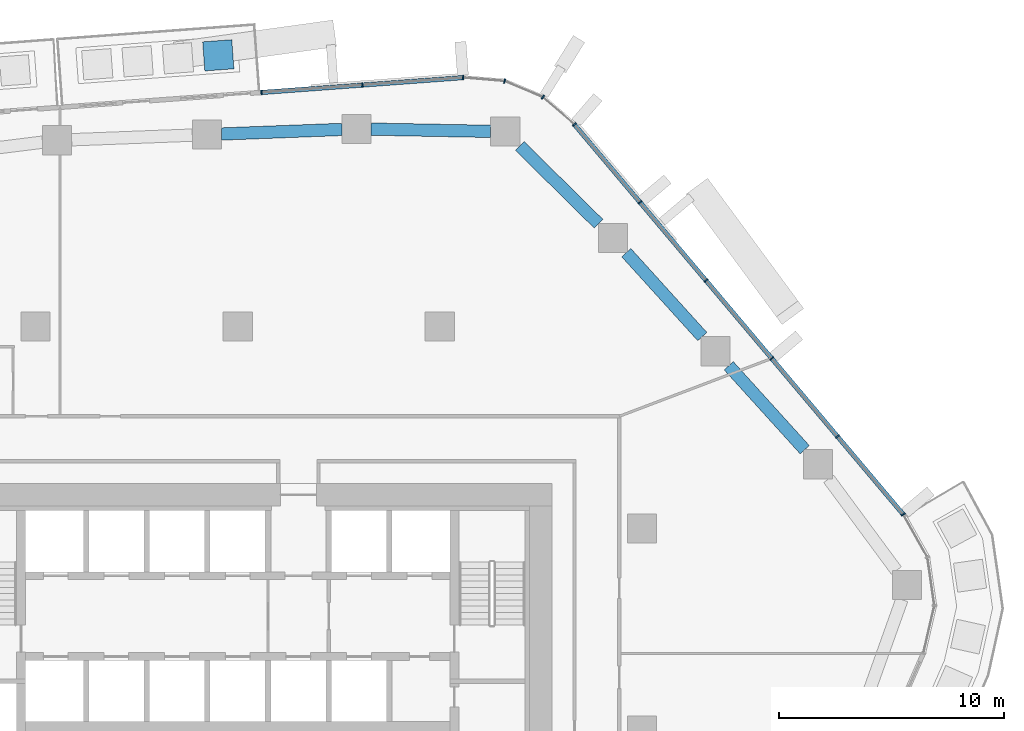
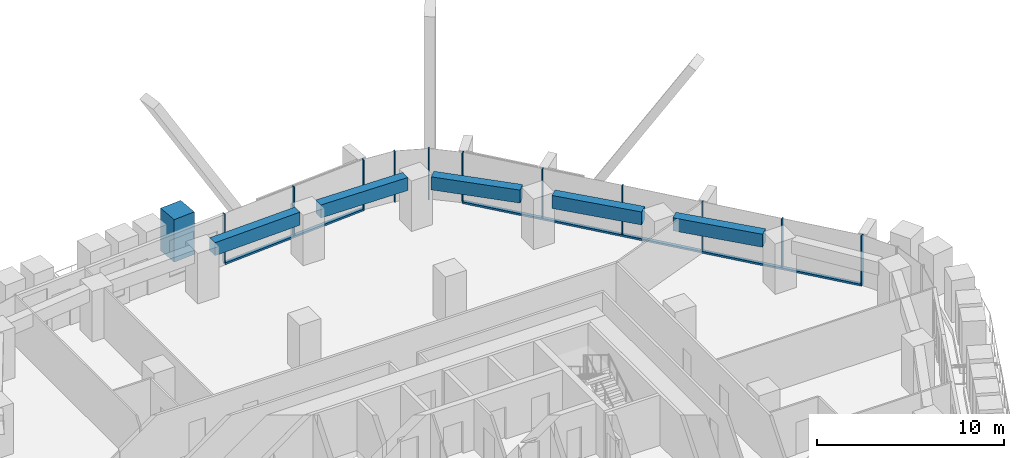
# One storey, part 8 of 24: 14 members, 5 beams, 4 elements without a shape of their own.
"""IFC4 building model written with IfcOpenShell, lengths in metres."""

from ifc_helpers import new_model, si_unit, direction, frame, origin, origin_2d, place, context, subcontext, project, spatial, rectangle, extrude, material, layer, layer_set, material_profile, profile_set, type_object, element, aggregate, save


model = new_model("IFC4")

# Units and contexts
model_context = context("Model", 3, precision=1e-05, world=origin(), true_north=direction((0.0, 1.0)))
body_context = subcontext(model_context, "Body", "Model", "MODEL_VIEW")
ifc_project = project(units=[si_unit("LENGTHUNIT", "METRE"), si_unit("AREAUNIT", "SQUARE_METRE"), si_unit("VOLUMEUNIT", "CUBIC_METRE"), si_unit("PLANEANGLEUNIT", "RADIAN"), si_unit("MASSUNIT", "GRAM", prefix="KILO")], contexts=[model_context])

# Site, building, storey
site_placement = place(None, origin())
site = spatial("IfcSite", under=ifc_project, at=site_placement, CompositionType="ELEMENT")
building_placement = place(site_placement, origin())
building = spatial("IfcBuilding", under=site, at=building_placement, Name="Dongbaek Canopy Tower", CompositionType="ELEMENT")
storey_placement = place(building_placement, frame((0.0, 0.0, 128.5)))
storey = spatial("IfcBuildingStorey", under=building, at=storey_placement, Name="L28", CompositionType="ELEMENT", Elevation=128.5)

# Curtain wall, member
ifc_material_1 = material(Name="Aluminium 6063-T6 pale anodised", Category="aluminium")
ifc_layer = layer(ifc_material_1, 0.199951171875)
ifc_layer_set = layer_set([ifc_layer], Name="CW-1 unitised tower curtain wall")
curtain_wall_type = type_object("IfcCurtainWallType", Name="CW-1 unitised tower curtain wall", PredefinedType="NOTDEFINED", material=ifc_layer_set)
curtain_wall_1_placement = place(storey_placement, origin())
curtain_wall_1 = element("IfcCurtainWall", 1, at=curtain_wall_1_placement, inside=storey, type_object=curtain_wall_type, Name="CW-1 curtain wall K0.1", PredefinedType="NOTDEFINED")
ifc_material_2 = material(Name="Aluminium 6063-T6 pale anodised", Category="aluminium")
ifc_material_profile_1 = material_profile(ifc_material_2, rectangle(XDim=0.199951171875, YDim=0.06005859375, at=origin_2d()), Name="CW-1 mullion 60 x 200")
ifc_profile_set_1 = profile_set([ifc_material_profile_1], Name="Aluminium 6063-T6 pale anodised")
member_type_1 = type_object("IfcMemberType", Name="CW-1 mullion 60 x 200", PredefinedType="MULLION", material=ifc_profile_set_1)
member_1_placement = place(storey_placement, frame((29.639404296875, 9.630615234375, 0.0), z_axis=(0.0, 0.0, 1.0), x_axis=(0.870355673405, 0.492423599933, 0.0)))
member_1 = element("IfcMember", 2, at=member_1_placement, type_object=member_type_1, Name="CW-1 mullion K0.1.4", PredefinedType="MULLION", context=body_context, shape_type="SweptSolid", body=[
    extrude(rectangle(XDim=0.199951171875, YDim=0.06005859375, at=origin_2d()), origin(), (0.0, 0.0, 1.0), 3.300048828125),
])
aggregate(curtain_wall_1, [member_1])

# Curtain wall, members
curtain_wall_2_placement = place(storey_placement, origin())
curtain_wall_2 = element("IfcCurtainWall", 3, at=curtain_wall_2_placement, inside=storey, type_object=curtain_wall_type, Name="CW-1 curtain wall F0.1", PredefinedType="NOTDEFINED")
member_2_placement = place(storey_placement, frame((26.71435546875, 13.098876953125, 0.1201171875), z_axis=(0.0, 0.0, 1.0), x_axis=(0.764439348936, 0.644695650519, 0.0)))
member_2 = element("IfcMember", 4, at=member_2_placement, type_object=member_type_1, Name="CW-1 mullion F0.1.2", PredefinedType="MULLION", context=body_context, shape_type="SweptSolid", body=[
    extrude(rectangle(XDim=0.199951171875, YDim=0.06005859375, at=origin_2d()), origin(), (0.0, 0.0, 1.0), 3.179931640625),
])
member_3_placement = place(storey_placement, frame((23.783203125, 16.574462890625, 0.1201171875), z_axis=(0.0, 0.0, 1.0), x_axis=(0.764439348936, 0.644695650519, 0.0)))
member_3 = element("IfcMember", 5, at=member_3_placement, type_object=member_type_1, Name="CW-1 mullion F0.1.3", PredefinedType="MULLION", context=body_context, shape_type="SweptSolid", body=[
    extrude(rectangle(XDim=0.199951171875, YDim=0.06005859375, at=origin_2d()), origin(), (0.0, 0.0, 1.0), 3.179931640625),
])
member_4_placement = place(storey_placement, frame((20.85205078125, 20.0498046875, 0.1201171875), z_axis=(0.0, 0.0, 1.0), x_axis=(0.764439348936, 0.644695650519, 0.0)))
member_4 = element("IfcMember", 6, at=member_4_placement, type_object=member_type_1, Name="CW-1 mullion F0.1.4", PredefinedType="MULLION", context=body_context, shape_type="SweptSolid", body=[
    extrude(rectangle(XDim=0.199951171875, YDim=0.06005859375, at=origin_2d()), origin(), (0.0, 0.0, 1.0), 3.179931640625),
])
member_5_placement = place(storey_placement, frame((17.921142578125, 23.525390625, 0.1201171875), z_axis=(0.0, 0.0, 1.0), x_axis=(0.764439348936, 0.644695650519, 0.0)))
member_5 = element("IfcMember", 7, at=member_5_placement, type_object=member_type_1, Name="CW-1 mullion F0.1.5", PredefinedType="MULLION", context=body_context, shape_type="SweptSolid", body=[
    extrude(rectangle(XDim=0.199951171875, YDim=0.06005859375, at=origin_2d()), origin(), (0.0, 0.0, 1.0), 3.179931640625),
])
member_6_placement = place(storey_placement, frame((14.9951171875, 26.994873046875, 0.1201171875), z_axis=(0.0, 0.0, 1.0), x_axis=(0.764439348936, 0.644695650519, 0.0)))
member_6 = element("IfcMember", 8, at=member_6_placement, type_object=member_type_1, Name="CW-1 mullion F0.1.6", PredefinedType="MULLION", context=body_context, shape_type="SweptSolid", body=[
    extrude(rectangle(XDim=0.199951171875, YDim=0.06005859375, at=origin_2d()), origin(), (0.0, 0.0, 1.0), 3.179931640625),
])

curtain_wall_3_placement = place(storey_placement, origin())
curtain_wall_3 = element("IfcCurtainWall", 9, at=curtain_wall_3_placement, inside=storey, type_object=curtain_wall_type, Name="CW-1 curtain wall K1.1", PredefinedType="NOTDEFINED")
member_7_placement = place(storey_placement, frame((13.591064453125, 28.208740234375, 0.0), z_axis=(0.0, 0.0, 1.0), x_axis=(0.527440952784, 0.849591690947, 0.0)))
member_7 = element("IfcMember", 10, at=member_7_placement, type_object=member_type_1, Name="CW-1 mullion K1.1.2", PredefinedType="MULLION", context=body_context, shape_type="SweptSolid", body=[
    extrude(rectangle(XDim=0.199951171875, YDim=0.06005859375, at=origin_2d()), origin(), (0.0, 0.0, 1.0), 3.300048828125),
])
member_8_placement = place(storey_placement, frame((11.8876953125, 28.925537109375, 0.0), z_axis=(0.0, 0.0, 1.0), x_axis=(0.238673896326, 0.971099774077, 0.0)))
member_8 = element("IfcMember", 11, at=member_8_placement, type_object=member_type_1, Name="CW-1 mullion K1.1.3", PredefinedType="MULLION", context=body_context, shape_type="SweptSolid", body=[
    extrude(rectangle(XDim=0.199951171875, YDim=0.06005859375, at=origin_2d()), origin(), (0.0, 0.0, 1.0), 3.300048828125),
])
member_9_placement = place(storey_placement, frame((10.0380859375, 29.08056640625, 0.0), z_axis=(0.0, 0.0, 1.0), x_axis=(0.08360953384, 0.996498593, 0.0)))
member_9 = element("IfcMember", 12, at=member_9_placement, type_object=member_type_1, Name="CW-1 mullion K1.1.4", PredefinedType="MULLION", context=body_context, shape_type="SweptSolid", body=[
    extrude(rectangle(XDim=0.199951171875, YDim=0.06005859375, at=origin_2d()), origin(), (0.0, 0.0, 1.0), 3.300048828125),
])
aggregate(curtain_wall_3, [member_7, member_8, member_9])

curtain_wall_4_placement = place(storey_placement, origin())
curtain_wall_4 = element("IfcCurtainWall", 13, at=curtain_wall_4_placement, inside=storey, type_object=curtain_wall_type, Name="CW-1 curtain wall F1.1", PredefinedType="NOTDEFINED")
member_10_placement = place(storey_placement, frame((5.555419921875, 28.750244140625, 0.1201171875), z_axis=(0.0, 0.0, 1.0), x_axis=(-0.073519152761, 0.997293805344, 0.0)))
member_10 = element("IfcMember", 14, at=member_10_placement, type_object=member_type_1, Name="CW-1 mullion F1.1.2", PredefinedType="MULLION", context=body_context, shape_type="SweptSolid", body=[
    extrude(rectangle(XDim=0.199951171875, YDim=0.06005859375, at=origin_2d()), origin(), (0.0, 0.0, 1.0), 3.179931640625),
])
member_11_placement = place(storey_placement, frame((1.064697265625, 28.419189453125, 0.1201171875), z_axis=(0.0, 0.0, 1.0), x_axis=(-0.073519152761, 0.997293805344, 0.0)))
member_11 = element("IfcMember", 15, at=member_11_placement, type_object=member_type_1, Name="CW-1 mullion F1.1.3", PredefinedType="MULLION", context=body_context, shape_type="SweptSolid", body=[
    extrude(rectangle(XDim=0.199951171875, YDim=0.06005859375, at=origin_2d()), origin(), (0.0, 0.0, 1.0), 3.179931640625),
])

# Member
ifc_material_3 = material(Name="Aluminium 6063-T6 pale anodised", Category="aluminium")
ifc_material_profile_2 = material_profile(ifc_material_3, rectangle(XDim=0.199951171875, YDim=0.1201171875, at=origin_2d()), Name="CW-1 transom 120 x 200")
ifc_profile_set_2 = profile_set([ifc_material_profile_2], Name="Aluminium 6063-T6 pale anodised")
member_type_2 = type_object("IfcMemberType", Name="CW-1 transom 120 x 200", PredefinedType="USERDEFINED", material=ifc_profile_set_2)
member_12_placement = place(storey_placement, frame((29.639404296875, 9.630615234375, 0.06005859375), z_axis=(-0.644695913599, 0.764439127066, 0.0), x_axis=(-0.764439127066, -0.644695913599, 0.0)))
member_12 = element("IfcMember", 16, at=member_12_placement, type_object=member_type_2, Name="CW-1 transom F0.1.1", ObjectType="TRANSOM", PredefinedType="USERDEFINED", context=body_context, shape_type="SweptSolid", body=[
    extrude(rectangle(XDim=0.199951171875, YDim=0.1201171875, at=origin_2d()), origin(), (0.0, 0.0, 1.0), 22.715087890625),
])

aggregate(curtain_wall_2, [member_2, member_3, member_4, member_5, member_6, member_12])

member_13_placement = place(storey_placement, frame((10.0380859375, 29.08056640625, 0.06005859375), z_axis=(-0.997294857601, -0.073504877411, 0.0), x_axis=(0.073504877411, -0.997294857601, 0.0)))
member_13 = element("IfcMember", 17, at=member_13_placement, type_object=member_type_2, Name="CW-1 transom F1.1.1", ObjectType="TRANSOM", PredefinedType="USERDEFINED", context=body_context, shape_type="SweptSolid", body=[
    extrude(rectangle(XDim=0.199951171875, YDim=0.1201171875, at=origin_2d()), origin(), (0.0, 0.0, 1.0), 8.997802734375),
])

aggregate(curtain_wall_4, [member_10, member_11, member_13])

# Beams
ifc_material_4 = material(Name="Concrete C80", Category="concrete")
ifc_material_profile_3 = material_profile(ifc_material_4, rectangle(XDim=0.550048828125, YDim=0.85009765625, at=origin_2d()), Name="RC EDGE BEAM 550x850 C80")
ifc_profile_set_3 = profile_set([ifc_material_profile_3], Name="Concrete C80")
beam_type = type_object("IfcBeamType", Name="RC EDGE BEAM 550x850 C80", PredefinedType="BEAM", material=ifc_profile_set_3)
beam_1_placement = place(storey_placement, frame((-0.721923828125, 26.56884765625, 2.875), z_axis=(0.999275939063, 0.03804730751, 0.0), x_axis=(-0.03804730751, 0.999275939063, 0.0)))
element("IfcBeam", 18, at=beam_1_placement, inside=storey, type_object=beam_type, Name="EDGEBEAM:L28:15", PredefinedType="BEAM", context=body_context, shape_type="SweptSolid", body=[
    extrude(rectangle(XDim=0.550048828125, YDim=0.85009765625, at=origin_2d()), origin(), (0.0, 0.0, 1.0), 5.370849609375),
])
beam_2_placement = place(storey_placement, frame((5.945068359375, 26.785888671875, 2.875), z_axis=(0.999824893163, -0.018713177504, 0.0), x_axis=(0.018713177504, 0.999824893163, 0.0)))
element("IfcBeam", 19, at=beam_2_placement, inside=storey, type_object=beam_type, Name="EDGEBEAM:L28:16", PredefinedType="BEAM", context=body_context, shape_type="SweptSolid", body=[
    extrude(rectangle(XDim=0.550048828125, YDim=0.85009765625, at=origin_2d()), origin(), (0.0, 0.0, 1.0), 5.322998046875),
])
beam_3_placement = place(storey_placement, frame((12.56689453125, 26.032470703125, 2.875), z_axis=(0.711707070228, -0.702476366995, 0.0), x_axis=(0.702476366995, 0.711707070228, 0.0)))
element("IfcBeam", 20, at=beam_3_placement, inside=storey, type_object=beam_type, Name="EDGEBEAM:L28:17", PredefinedType="BEAM", context=body_context, shape_type="SweptSolid", body=[
    extrude(rectangle(XDim=0.550048828125, YDim=0.85009765625, at=origin_2d()), origin(), (0.0, 0.0, 1.0), 4.91943359375),
])
beam_4_placement = place(storey_placement, frame((17.306640625, 21.284912109375, 2.875), z_axis=(0.671331632341, -0.741157094966, 0.0), x_axis=(0.741157094966, 0.671331632341, 0.0)))
element("IfcBeam", 21, at=beam_4_placement, inside=storey, type_object=beam_type, Name="EDGEBEAM:L28:18", PredefinedType="BEAM", context=body_context, shape_type="SweptSolid", body=[
    extrude(rectangle(XDim=0.550048828125, YDim=0.85009765625, at=origin_2d()), origin(), (0.0, 0.0, 1.0), 5.041748046875),
])
beam_5_placement = place(storey_placement, frame((21.86865234375, 16.248046875, 2.875), z_axis=(0.671270897358, -0.74121210349, 0.0), x_axis=(0.74121210349, 0.671270897358, 0.0)))
element("IfcBeam", 22, at=beam_5_placement, inside=storey, type_object=beam_type, Name="EDGEBEAM:L28:19", PredefinedType="BEAM", context=body_context, shape_type="SweptSolid", body=[
    extrude(rectangle(XDim=0.550048828125, YDim=0.85009765625, at=origin_2d()), origin(), (0.0, 0.0, 1.0), 5.04052734375),
])

# Member
ifc_material_5 = material(Name="Concrete C40/50 planter mass with planting", Category="concrete")
ifc_material_profile_4 = material_profile(ifc_material_5, rectangle(XDim=1.300048828125, YDim=1.300048828125, at=origin_2d()), Name="Terrace PLANTER shrub mass 1300 x 1300")
ifc_profile_set_4 = profile_set([ifc_material_profile_4], Name="Concrete C40/50 planter mass with planting")
member_type_3 = type_object("IfcMemberType", Name="Terrace PLANTER shrub mass 1300 x 1300", PredefinedType="USERDEFINED", material=ifc_profile_set_4)
member_14_placement = place(storey_placement, frame((-0.862548828125, 30.07177734375, 0.419921875), z_axis=(0.0, 0.0, 1.0), x_axis=(-0.073519152761, 0.997293805344, 0.0)))
element("IfcMember", 23, at=member_14_placement, inside=storey, type_object=member_type_3, Name="Planter shrubs L28 1.1", ObjectType="PLANTER", PredefinedType="USERDEFINED", context=body_context, shape_type="SweptSolid", body=[
    extrude(rectangle(XDim=1.300048828125, YDim=1.300048828125, at=origin_2d()), origin(), (0.0, 0.0, 1.0), 2.780029296875),
])

save(model, "model.ifc")
